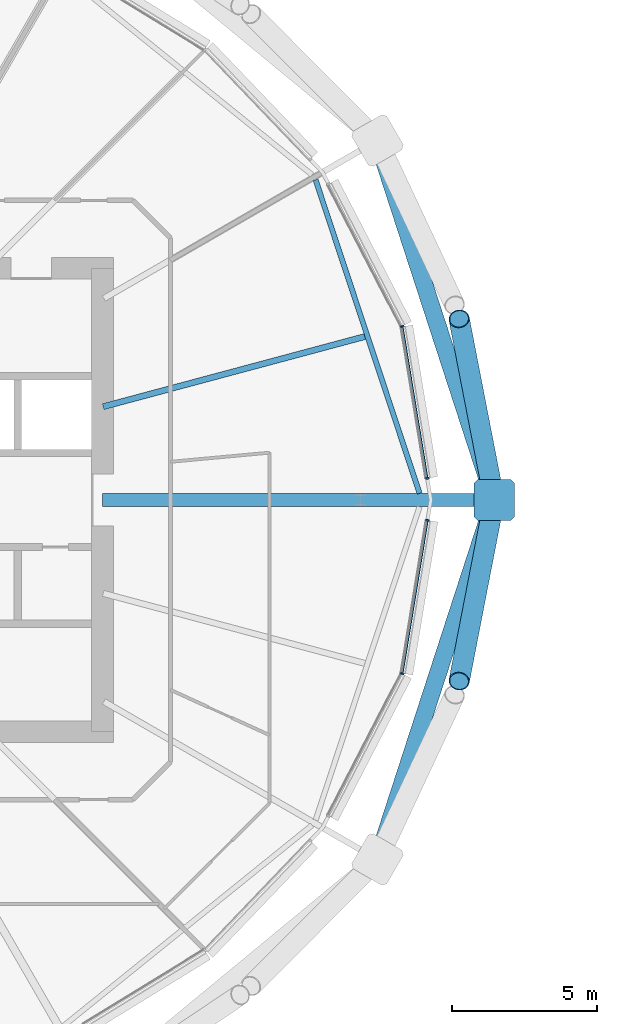
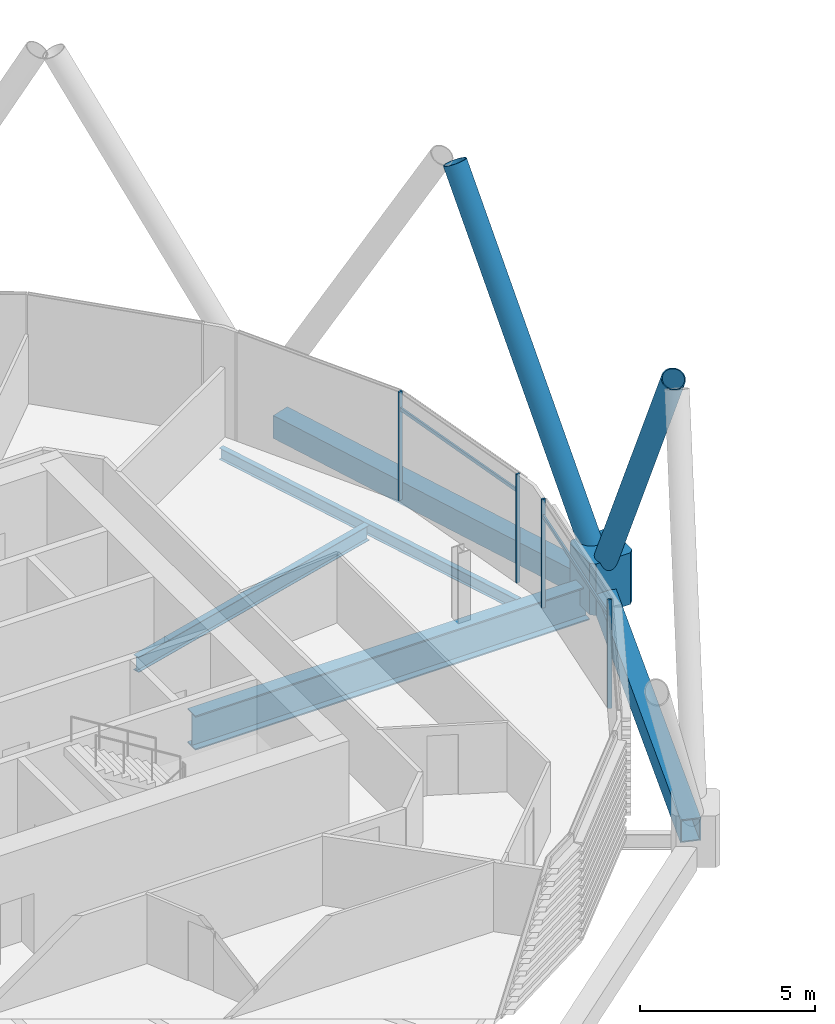
# One storey, part 9 of 38: 9 members, 5 beams, 1 element without a shape of its own.
"""IFC4 building model written with IfcOpenShell, lengths in metres."""

import ifcopenshell
import ifcopenshell.guid

model = None  # the IFC model being written
_history = None  # IfcOwnerHistory: only IFC2X3 demands one
_inside = {}  # id of a spatial element -> (the spatial element, [elements in it])
_under = {}  # id of a project, library or spatial element -> (it, [spatial elements below it])
_declared = {}  # id of a project -> (the project, [libraries it declares])
_typed = {}  # id of a type object -> (the type object, [elements of that type])
_made_of = {}  # id of a material, layer set ... -> (it, [elements and type objects made of it])


def new_model(schema):
    """Start an empty IFC model of exactly this schema.

    Asked for "IFC4X3", IfcOpenShell would pick the latest addendum, in which some entities
    have other attributes; the version numbers below select the first issue.
    IFC2X3 requires an IfcOwnerHistory on every rooted entity: one is made here for all.
    """
    global model, _history
    if schema == "IFC4X3":
        model = ifcopenshell.file(schema_version=(4, 3, 0, 0))
    else:
        model = ifcopenshell.file(schema=schema)
    _inside.clear()
    _under.clear()
    _declared.clear()
    _typed.clear()
    _made_of.clear()
    _history = None
    if model.schema == "IFC2X3":
        org = make("IfcOrganization", Name="unknown")
        user = make(
            "IfcPersonAndOrganization",
            ThePerson=make("IfcPerson", FamilyName="unknown"),
            TheOrganization=org,
        )
        app = make(
            "IfcApplication",
            ApplicationDeveloper=org,
            Version="unknown",
            ApplicationFullName="unknown",
            ApplicationIdentifier="unknown",
        )
        _history = make(
            "IfcOwnerHistory",
            OwningUser=user,
            OwningApplication=app,
            ChangeAction="ADDED",
            CreationDate=0,
        )
    return model


def make(cls, **values):
    """One entity of the class cls with the attributes given. An attribute that is None is left unset."""
    return model.create_entity(
        cls, **{name: value for name, value in values.items() if value is not None}
    )


def rooted(cls, **values):
    """An entity with a GlobalId (a new one), such as an element, a storey or a relation."""
    return make(cls, GlobalId=ifcopenshell.guid.new(), OwnerHistory=_history, **values)


def si_unit(unit_type, name, prefix=None):
    """IfcSIUnit, for example si_unit("LENGTHUNIT", "METRE", prefix="MILLI")."""
    return make("IfcSIUnit", UnitType=unit_type, Prefix=prefix, Name=name)


def assignment(units):
    """IfcUnitAssignment: the units of a project."""
    return None if units is None else make("IfcUnitAssignment", Units=units)


def point(xyz):
    """IfcCartesianPoint."""
    return None if xyz is None else make("IfcCartesianPoint", Coordinates=xyz)


def direction(xyz):
    """IfcDirection."""
    return None if xyz is None else make("IfcDirection", DirectionRatios=xyz)


def frame(location, z_axis=None, x_axis=None):
    """IfcAxis2Placement3D, a coordinate frame: its origin and axes. An axis left out is left unset."""
    return make(
        "IfcAxis2Placement3D",
        Location=point(location),
        Axis=direction(z_axis),
        RefDirection=direction(x_axis),
    )


def frame_2d(location, x_axis=None):
    """IfcAxis2Placement2D, a coordinate frame in the plane: its origin and x axis."""
    return make(
        "IfcAxis2Placement2D", Location=point(location), RefDirection=direction(x_axis)
    )


def origin():
    """The frame at (0, 0, 0) with its axes left unset."""
    return frame((0.0, 0.0, 0.0))


def origin_2d():
    """The frame at (0, 0) in the plane with its x axis left unset."""
    return frame_2d((0.0, 0.0))


def place(relative_to, where):
    """IfcLocalPlacement: puts the frame where relative to a parent placement (None: the world)."""
    return make(
        "IfcLocalPlacement", PlacementRelTo=relative_to, RelativePlacement=where
    )


def context(
    kind, dimensions, precision=None, world=None, true_north=None, identifier=None
):
    """IfcGeometricRepresentationContext, for example the 3D "Model" context."""
    return make(
        "IfcGeometricRepresentationContext",
        ContextIdentifier=identifier,
        ContextType=kind,
        CoordinateSpaceDimension=dimensions,
        Precision=precision,
        WorldCoordinateSystem=world,
        TrueNorth=true_north,
    )


def subcontext(parent, identifier, kind, view, scale=None):
    """IfcGeometricRepresentationSubContext, for example "Body" below "Model"."""
    return make(
        "IfcGeometricRepresentationSubContext",
        ContextIdentifier=identifier,
        ContextType=kind,
        ParentContext=parent,
        TargetScale=scale,
        TargetView=view,
    )


def project(units=None, contexts=None):
    """IfcProject with its units and contexts."""
    return rooted(
        "IfcProject",
        Name="project",
        RepresentationContexts=contexts,
        UnitsInContext=assignment(units),
    )


def spatial(cls, under=None, at=None, **own):
    """A site, building, storey or space (cls), placed at a placement, below another one or the project."""
    s = rooted(cls, ObjectPlacement=at, **own)
    if under is not None:
        _under.setdefault(under.id(), (under, []))[1].append(s)
    return s


def polyline(points):
    """IfcPolyline through the points."""
    return make("IfcPolyline", Points=[point(p) for p in points])


def profile(cls, at=None, kind="AREA", **sizes):
    """A parametric profile (cls). Its sizes go by their IFC names, for example OverallWidth=200.0."""
    return make(cls, ProfileType=kind, Position=at, **sizes)


def rectangle(**sizes):
    """IfcRectangleProfileDef."""
    return profile("IfcRectangleProfileDef", **sizes)


def hollow_rectangle(**sizes):
    """IfcRectangleHollowProfileDef."""
    return profile("IfcRectangleHollowProfileDef", **sizes)


def hollow_circle(**sizes):
    """IfcCircleHollowProfileDef."""
    return profile("IfcCircleHollowProfileDef", **sizes)


def i_section(**sizes):
    """IfcIShapeProfileDef."""
    return profile("IfcIShapeProfileDef", **sizes)


def outline(outer, holes=None, kind="AREA"):
    """IfcArbitraryClosedProfileDef: a profile drawn as a closed curve; with holes, ...WithVoids."""
    if holes is None:
        return make("IfcArbitraryClosedProfileDef", ProfileType=kind, OuterCurve=outer)
    return make(
        "IfcArbitraryProfileDefWithVoids",
        ProfileType=kind,
        OuterCurve=outer,
        InnerCurves=holes,
    )


def extrude(swept, where, along, depth):
    """IfcExtrudedAreaSolid: the profile swept, set in the frame where, extruded along a direction by depth."""
    return make(
        "IfcExtrudedAreaSolid",
        SweptArea=swept,
        Position=where,
        ExtrudedDirection=direction(along),
        Depth=depth,
    )


def shape(context_of_items, identifier, shape_type, items):
    """IfcShapeRepresentation: the items that make up one representation, for example the "Body"."""
    return make(
        "IfcShapeRepresentation",
        ContextOfItems=context_of_items,
        RepresentationIdentifier=identifier,
        RepresentationType=shape_type,
        Items=items,
    )


def material(Name=None, Category=None):
    """IfcMaterial."""
    return make("IfcMaterial", Name=Name, Category=Category)


def material_profile(
    of_material, cross_section, Name=None, Category=None, Priority=None
):
    """IfcMaterialProfile: a cross section and its material."""
    return make(
        "IfcMaterialProfile",
        Name=Name,
        Material=of_material,
        Profile=cross_section,
        Priority=Priority,
        Category=Category,
    )


def profile_set(profiles, Name=None, composite=None):
    """IfcMaterialProfileSet."""
    return make(
        "IfcMaterialProfileSet",
        Name=Name,
        MaterialProfiles=profiles,
        CompositeProfile=composite,
    )


def made_of(thing, what):
    """Note that an element or type object is made of a material, layer set ...; save() writes the relation."""
    if what is not None:
        _made_of.setdefault(what.id(), (what, []))[1].append(thing)
    return thing


def type_object(cls, material=None, **own):
    """A type object (cls), such as IfcWallType, which elements share."""
    return made_of(rooted(cls, **own), material)


def element(
    cls,
    number,
    at=None,
    inside=None,
    cuts=None,
    type_object=None,
    material=None,
    context=None,
    identifier="Body",
    shape_type=None,
    held_by="IfcProductDefinitionShape",
    body=None,
    shapes=None,
    **own,
):
    """One element of the class cls, such as IfcWall. Its Tag is "e" and its number.

    at: its placement. inside: the storey or other place that contains it. cuts: it is an
    opening in that element (IfcRelVoidsElement). A single representation is given by context,
    identifier, shape_type and body (its items); several are given by shapes. held_by: the class
    of the entity that holds the representations. save() writes the other relations.
    """
    e = rooted(cls, Tag="e%d" % number, ObjectPlacement=at, **own)
    if body is not None:
        shapes = [shape(context, identifier, shape_type, body)]
    if shapes is not None:
        e.Representation = make(held_by, Representations=shapes)
    if inside is not None:
        _inside.setdefault(inside.id(), (inside, []))[1].append(e)
    if cuts is not None:
        rooted(
            "IfcRelVoidsElement", RelatingBuildingElement=cuts, RelatedOpeningElement=e
        )
    if type_object is not None:
        _typed.setdefault(type_object.id(), (type_object, []))[1].append(e)
    return made_of(e, material)


def aggregate(whole, parts):
    """IfcRelAggregates: a whole, such as a stair, and the parts it consists of."""
    return rooted("IfcRelAggregates", RelatingObject=whole, RelatedObjects=parts)


def save(model, path):
    """Write the relations noted so far, then the file.

    IfcRelAggregates (storeys below a building ...), IfcRelContainedInSpatialStructure (elements
    in a storey), IfcRelDefinesByType, IfcRelAssociatesMaterial and IfcRelDeclares: one each for
    every whole, place, type object, material and project.
    """
    for whole, parts in _under.values():
        aggregate(whole, parts)
    for where, things in _inside.values():
        rooted(
            "IfcRelContainedInSpatialStructure",
            RelatedElements=things,
            RelatingStructure=where,
        )
    for kind, things in _typed.values():
        rooted("IfcRelDefinesByType", RelatedObjects=things, RelatingType=kind)
    for what, things in _made_of.values():
        rooted("IfcRelAssociatesMaterial", RelatedObjects=things, RelatingMaterial=what)
    for by, libraries in _declared.values():
        rooted("IfcRelDeclares", RelatingContext=by, RelatedDefinitions=libraries)
    model.write(path)


model = new_model("IFC4")

# Units and contexts
model_context = context("Model", 3, precision=1e-05, world=origin(), true_north=direction((0.0, 1.0)))
body_context = subcontext(model_context, "Body", "Model", "MODEL_VIEW")
ifc_project = project(units=[si_unit("LENGTHUNIT", "METRE"), si_unit("AREAUNIT", "SQUARE_METRE"), si_unit("VOLUMEUNIT", "CUBIC_METRE"), si_unit("PLANEANGLEUNIT", "RADIAN"), si_unit("MASSUNIT", "GRAM", prefix="KILO")], contexts=[model_context])

# Site, building, storey
site_placement = place(None, origin())
site = spatial("IfcSite", under=ifc_project, at=site_placement, CompositionType="ELEMENT")
building_placement = place(site_placement, origin())
building = spatial("IfcBuilding", under=site, at=building_placement, Name="Rimbun Link Towers", CompositionType="ELEMENT")
storey_placement = place(building_placement, frame((0.0, 0.0, 104.39990234375)))
storey = spatial("IfcBuildingStorey", under=building, at=storey_placement, Name="L25", CompositionType="ELEMENT", Elevation=104.39990234375)

# Curtain wall, members
ifc_material_1 = material(Name="Aluminium 6063-T6 and low-iron glass", Category="aluminium")
curtain_wall_type = type_object("IfcCurtainWallType", Name="CW1-Z2 unitised vision wall (zone 2)", PredefinedType="NOTDEFINED", material=ifc_material_1)
curtain_wall_placement = place(storey_placement, origin())
curtain_wall = element("IfcCurtainWall", 1, at=curtain_wall_placement, inside=storey, type_object=curtain_wall_type, Name="CW1 L25 T1", PredefinedType="NOTDEFINED")
ifc_material_2 = material(Name="Aluminium 6063-T6", Category="aluminium")
ifc_material_profile_1 = material_profile(ifc_material_2, rectangle(XDim=0.1201171875, YDim=0.06005859375, at=origin_2d()), Name="MULLION 60X120")
ifc_profile_set_1 = profile_set([ifc_material_profile_1], Name="Aluminium 6063-T6")
member_type_1 = type_object("IfcMemberType", Name="CW1 mullion 60X120", PredefinedType="MULLION", material=ifc_profile_set_1)
member_1_placement = place(storey_placement, frame((-9.39306640625, 5.994140625, 0.0), z_axis=(0.0, 0.0, 1.0), x_axis=(0.949162565402, 0.314786315522, 0.0)))
member_1 = element("IfcMember", 2, at=member_1_placement, type_object=member_type_1, Name="CW1 mullion", PredefinedType="MULLION", context=body_context, shape_type="SweptSolid", body=[
    extrude(rectangle(XDim=0.1201171875, YDim=0.06005859375, at=origin_2d()), origin(), (0.0, 0.0, 1.0), 3.800048828125),
])
member_2_placement = place(storey_placement, frame((-8.52978515625, 0.749755859375, 0.0), z_axis=(0.0, 0.0, 1.0), x_axis=(0.986749974311, 0.162248230183, 0.0)))
member_2 = element("IfcMember", 3, at=member_2_placement, type_object=member_type_1, Name="CW1 mullion", PredefinedType="MULLION", context=body_context, shape_type="SweptSolid", body=[
    extrude(rectangle(XDim=0.1201171875, YDim=0.06005859375, at=origin_2d()), origin(), (0.0, 0.0, 1.0), 3.800048828125),
])
member_3_placement = place(storey_placement, frame((-9.39306640625, -5.994140625, 0.0), z_axis=(0.0, 0.0, 1.0), x_axis=(0.949162565402, -0.314786315522, 0.0)))
member_3 = element("IfcMember", 4, at=member_3_placement, type_object=member_type_1, Name="CW1 mullion", PredefinedType="MULLION", context=body_context, shape_type="SweptSolid", body=[
    extrude(rectangle(XDim=0.1201171875, YDim=0.06005859375, at=origin_2d()), origin(), (0.0, 0.0, 1.0), 3.800048828125),
])
member_4_placement = place(storey_placement, frame((-8.521728515625, -0.700439453125, 0.0), z_axis=(0.0, 0.0, 1.0), x_axis=(0.986749974311, -0.162248230183, 0.0)))
member_4 = element("IfcMember", 5, at=member_4_placement, type_object=member_type_1, Name="CW1 mullion", PredefinedType="MULLION", context=body_context, shape_type="SweptSolid", body=[
    extrude(rectangle(XDim=0.1201171875, YDim=0.06005859375, at=origin_2d()), origin(), (0.0, 0.0, 1.0), 3.800048828125),
])
ifc_material_3 = material(Name="Aluminium 6063-T6", Category="aluminium")
ifc_material_profile_2 = material_profile(ifc_material_3, rectangle(XDim=0.06005859375, YDim=0.1201171875, at=origin_2d()), Name="TRANSOM 60X120")
ifc_profile_set_2 = profile_set([ifc_material_profile_2], Name="Aluminium 6063-T6")
member_type_2 = type_object("IfcMemberType", Name="CW1 transom 60X120", PredefinedType="USERDEFINED", material=ifc_profile_set_2)
member_5_placement = place(storey_placement, frame((-9.3876953125, 5.955078125, 3.2001953125), z_axis=(0.162247572631, -0.98675008243, 0.0), x_axis=(0.98675008243, 0.162247572631, 0.0)))
member_5 = element("IfcMember", 6, at=member_5_placement, type_object=member_type_2, Name="CW1 transom", ObjectType="TRANSOM", PredefinedType="USERDEFINED", context=body_context, shape_type="SweptSolid", body=[
    extrude(rectangle(XDim=0.06005859375, YDim=0.1201171875, at=origin_2d()), origin(), (0.0, 0.0, 1.0), 5.24560546875),
])
member_6_placement = place(storey_placement, frame((-8.528564453125, -0.729736328125, 3.2001953125), z_axis=(-0.162237962004, -0.986751662621, 0.0), x_axis=(0.986751662621, -0.162237962004, 0.0)))
member_6 = element("IfcMember", 7, at=member_6_placement, type_object=member_type_2, Name="CW1 transom", ObjectType="TRANSOM", PredefinedType="USERDEFINED", context=body_context, shape_type="SweptSolid", body=[
    extrude(rectangle(XDim=0.06005859375, YDim=0.1201171875, at=origin_2d()), origin(), (0.0, 0.0, 1.0), 5.29541015625),
])
aggregate(curtain_wall, [member_1, member_2, member_3, member_4, member_5, member_6])

# Members
ifc_material_4 = material(Name="Steel S460NH", Category="steel")
ifc_material_profile_3 = material_profile(ifc_material_4, hollow_circle(Radius=0.355712890625, WallThickness=0.031982421875, at=origin_2d()), Name="Diagrid diagonal CHS 711x32")
ifc_profile_set_3 = profile_set([ifc_material_profile_3], Name="Steel S460NH")
member_type_3 = type_object("IfcMemberType", Name="Diagrid diagonal CHS 711x32", PredefinedType="BRACE", material=ifc_profile_set_3)
for number, where, z_axis, x_axis, name in (
    (8, (-6.265380859375, -0.24658203125, 0.432373046875), (-0.095692626854, -0.493229772876, 0.86461975013), (0.981694795163, -0.190460833639, 0.0), "Diagrid diagonal T1 L25-L28 00a"),
    (9, (-6.265380859375, 0.24658203125, 0.432373046875), (-0.095692626854, 0.493229772876, 0.86461975013), (-0.981694795163, -0.190460833639, 0.0), "Diagrid diagonal T1 L25-L28 00b"),
):
    element("IfcMember", number, at=place(storey_placement, frame(where, z_axis=z_axis, x_axis=x_axis)), inside=storey, type_object=member_type_3, Name=name, PredefinedType="BRACE", context=body_context, shape_type="SweptSolid", body=[
        extrude(hollow_circle(Radius=0.355712890625, WallThickness=0.031982421875, at=origin_2d()), origin(), (0.0, 0.0, 1.0), 12.18505859375),
    ])
ifc_material_5 = material(Name="Cast steel G20Mn5+QT, Rp0.2 300 MPa", Category="steel")
ifc_material_profile_4 = material_profile(ifc_material_5, outline(polyline([(0.699951171875, -0.570068359375), (0.699951171875, 0.570068359375), (0.570068359375, 0.699951171875), (-0.570068359375, 0.699951171875), (-0.699951171875, 0.570068359375), (-0.699951171875, -0.570068359375), (-0.570068359375, -0.699951171875), (0.570068359375, -0.699951171875), (0.699951171875, -0.570068359375)])), Name="NODE 1400x1400")
ifc_profile_set_4 = profile_set([ifc_material_profile_4], Name="Cast steel G20Mn5+QT, Rp0.2 300 MPa")
member_type_4 = type_object("IfcMemberType", Name="Diagrid node cast 1400", PredefinedType="USERDEFINED", material=ifc_profile_set_4)
member_7_placement = place(storey_placement, frame((-6.21728515625, 0.0, -0.89990234375), z_axis=(0.0, 0.0, 1.0), x_axis=(1.0, 0.0, 0.0)))
element("IfcMember", 10, at=member_7_placement, inside=storey, type_object=member_type_4, Name="Diagrid node L25 00", ObjectType="Diagrid node", PredefinedType="USERDEFINED", context=body_context, shape_type="SweptSolid", body=[
    extrude(outline(polyline([(0.699951171875, -0.570068359375), (0.699951171875, 0.570068359375), (0.570068359375, 0.699951171875), (-0.570068359375, 0.699951171875), (-0.699951171875, 0.570068359375), (-0.699951171875, -0.570068359375), (-0.570068359375, -0.699951171875), (0.570068359375, -0.699951171875), (0.699951171875, -0.570068359375)])), origin(), (0.0, 0.0, 1.0), 1.800048828125),
])

# Beams
ifc_material_6 = material(Name="Steel S355J2", Category="steel")
ifc_material_profile_5 = material_profile(ifc_material_6, hollow_rectangle(XDim=0.60009765625, YDim=0.800048828125, WallThickness=0.0400390625, at=origin_2d()), Name="Exoskeleton ring girder BOX 600x800x40")
ifc_profile_set_5 = profile_set([ifc_material_profile_5], Name="Steel S355J2")
beam_type_1 = type_object("IfcBeamType", Name="Exoskeleton ring girder BOX 600x800x40", PredefinedType="BEAM", material=ifc_profile_set_5)
for number, where, z_axis, x_axis, name in (
    (11, (-6.43359375, 0.665771484375, -0.559814453125), (-0.308996051782, 0.951063320701, 0.0), (-0.951063320701, -0.308996051782, 0.0), "Exoskeleton ring girder L25 00"),
    (12, (-10.033935546875, -11.747314453125, -0.559814453125), (0.308996051782, 0.951063320701, 0.0), (-0.951063320701, 0.308996051782, 0.0), "Exoskeleton ring girder L25 08"),
):
    element("IfcBeam", number, at=place(storey_placement, frame(where, z_axis=z_axis, x_axis=x_axis)), inside=storey, type_object=beam_type_1, Name=name, PredefinedType="BEAM", context=body_context, shape_type="SweptSolid", body=[
        extrude(hollow_rectangle(XDim=0.60009765625, YDim=0.800048828125, WallThickness=0.0400390625, at=origin_2d()), origin(), (0.0, 0.0, 1.0), 11.65185546875),
    ])
ifc_material_7 = material(Name="Steel S355J2", Category="steel")
ifc_material_profile_6 = material_profile(ifc_material_7, i_section(OverallWidth=0.449951171875, OverallDepth=1.199951171875, WebThickness=0.030029296875, FlangeThickness=0.044921875, at=origin_2d()), Name="PG 1200x450x30/45")
ifc_profile_set_6 = profile_set([ifc_material_profile_6], Name="Steel S355J2")
beam_type_2 = type_object("IfcBeamType", Name="PG 1200x450x30/45", PredefinedType="BEAM", material=ifc_profile_set_6)
beam_1_placement = place(storey_placement, frame((-19.7490234375, 0.0, -0.760009765625), z_axis=(1.0, 0.0, 0.0), x_axis=(0.0, 1.0, 0.0)))
element("IfcBeam", 13, at=beam_1_placement, inside=storey, type_object=beam_type_2, Name="Radial beam T1 L25 00", PredefinedType="BEAM", context=body_context, shape_type="SweptSolid", body=[
    extrude(i_section(OverallWidth=0.449951171875, OverallDepth=1.199951171875, WebThickness=0.030029296875, FlangeThickness=0.044921875, at=origin_2d()), origin(), (0.0, 0.0, 1.0), 13.03173828125),
])
ifc_material_8 = material(Name="Steel S355J2", Category="steel")
ifc_material_profile_7 = material_profile(ifc_material_8, i_section(OverallWidth=0.177978515625, OverallDepth=0.406494140625, WebThickness=0.0078125, FlangeThickness=0.0126953125, at=origin_2d()), Name="UB 406x178x60")
ifc_profile_set_7 = profile_set([ifc_material_profile_7], Name="Steel S355J2")
beam_type_3 = type_object("IfcBeamType", Name="UB 406x178x60", PredefinedType="BEAM", material=ifc_profile_set_7)
beam_2_placement = place(storey_placement, frame((-8.795654296875, 0.225830078125, -0.363037109375), z_axis=(-0.3147832435, 0.949163584221, 0.0), x_axis=(-0.949163584221, -0.3147832435, 0.0)))
element("IfcBeam", 14, at=beam_2_placement, inside=storey, type_object=beam_type_3, Name="Edge beam T1 L25 00-02", PredefinedType="BEAM", context=body_context, shape_type="SweptSolid", body=[
    extrude(i_section(OverallWidth=0.177978515625, OverallDepth=0.406494140625, WebThickness=0.0078125, FlangeThickness=0.0126953125, at=origin_2d()), origin(), (0.0, 0.0, 1.0), 11.4111328125),
])
ifc_material_9 = material(Name="Steel S355J2", Category="steel")
ifc_material_profile_8 = material_profile(ifc_material_9, i_section(OverallWidth=0.209228515625, OverallDepth=0.533203125, WebThickness=0.010009765625, FlangeThickness=0.015625, at=origin_2d()), Name="UB 533x210x92")
ifc_profile_set_8 = profile_set([ifc_material_profile_8], Name="Steel S355J2")
beam_type_4 = type_object("IfcBeamType", Name="UB 533x210x92", PredefinedType="BEAM", material=ifc_profile_set_8)
beam_3_placement = place(storey_placement, frame((-19.721923828125, 3.222900390625, -0.426513671875), z_axis=(0.965924050136, 0.258825673706, 0.0), x_axis=(-0.258825673706, 0.965924050136, 0.0)))
element("IfcBeam", 15, at=beam_3_placement, inside=storey, type_object=beam_type_4, Name="Radial beam T1 L25 01", PredefinedType="BEAM", context=body_context, shape_type="SweptSolid", body=[
    extrude(i_section(OverallWidth=0.209228515625, OverallDepth=0.533203125, WebThickness=0.010009765625, FlangeThickness=0.015625, at=origin_2d()), origin(), (0.0, 0.0, 1.0), 9.353515625),
])

save(model, "model.ifc")
